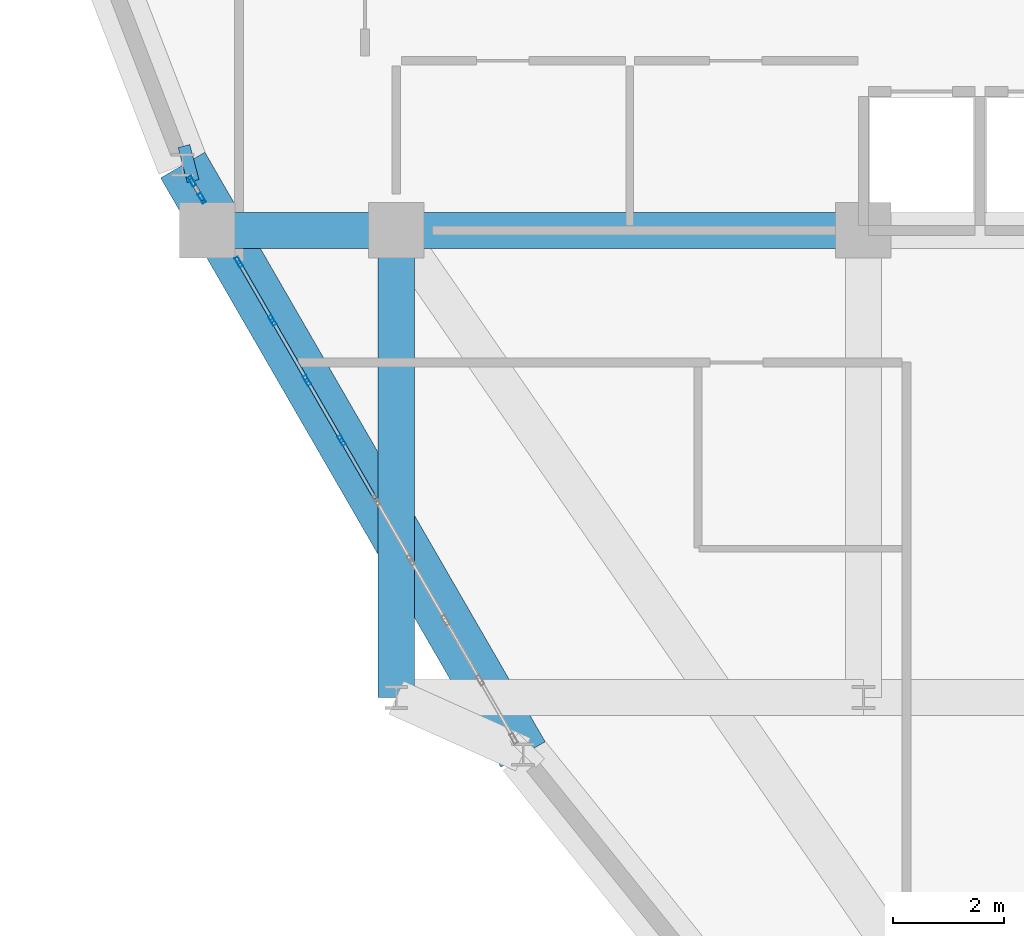
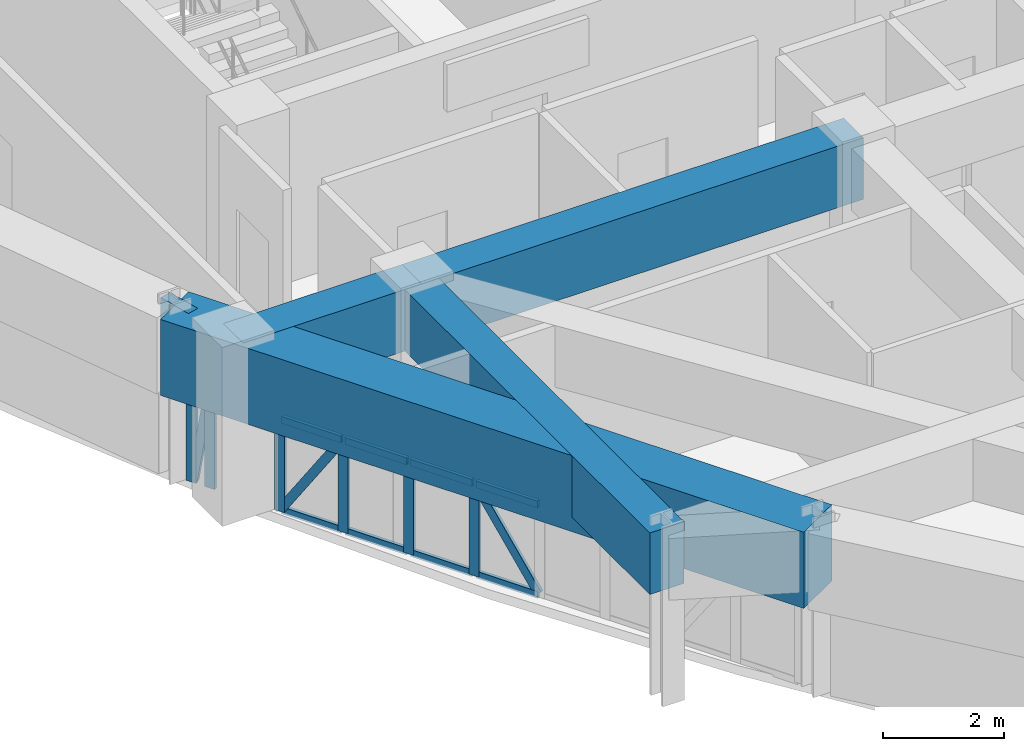
# One storey, part 7 of 19: 17 members, 5 beams, 2 elements without a shape of their own.
"""IFC4 building model written with IfcOpenShell, lengths in metres."""

from ifc_helpers import new_model, si_unit, derived_unit, direction, frame, origin, origin_2d, place, context, subcontext, project, spatial, rectangle, hollow_rectangle, extrude, source, transform, mapped, material, layer, layer_set, material_profile, profile_set, type_object, element, aggregate, save


model = new_model("IFC4")

# Units and contexts
model_context = context("Model", 3, precision=1e-05, world=origin(), true_north=direction((0.0, 1.0)))
body_context = subcontext(model_context, "Body", "Model", "MODEL_VIEW")
ifc_project = project(units=[si_unit("LENGTHUNIT", "METRE"), si_unit("AREAUNIT", "SQUARE_METRE"), si_unit("VOLUMEUNIT", "CUBIC_METRE"), si_unit("PLANEANGLEUNIT", "RADIAN"), si_unit("MASSUNIT", "GRAM", prefix="KILO"), derived_unit("THERMALTRANSMITTANCEUNIT", [(si_unit("POWERUNIT", "WATT"), 1), (si_unit("LENGTHUNIT", "METRE"), -2), (si_unit("THERMODYNAMICTEMPERATUREUNIT", "KELVIN"), -1)])], contexts=[model_context])

# Site, building, storey
site_placement = place(None, origin())
site = spatial("IfcSite", under=ifc_project, at=site_placement, CompositionType="ELEMENT")
building_placement = place(site_placement, origin())
building = spatial("IfcBuilding", under=site, at=building_placement, Name="Korsvarv Bourse and Concert Hall", CompositionType="ELEMENT")
storey_placement = place(building_placement, frame((0.0, 0.0, 223.800048828125)))
storey = spatial("IfcBuildingStorey", under=building, at=storey_placement, Name="L58", CompositionType="ELEMENT", Elevation=223.800048828125)

# Beams
ifc_material_1 = material(Name="Concrete C50/60", Category="concrete")
ifc_material_profile_1 = material_profile(ifc_material_1, rectangle(XDim=0.64990234375, YDim=1.239990234375, at=origin_2d()), Name="RC-BM 650x1240")
ifc_profile_set_1 = profile_set([ifc_material_profile_1], Name="Concrete C50/60")
beam_type_1 = type_object("IfcBeamType", Name="BM-TR-SPN", PredefinedType="BEAM", material=ifc_profile_set_1)
shared_shape_1 = source(origin(), body_context, "Body", "SweptSolid", [
    extrude(rectangle(XDim=0.64990234375, YDim=1.239990234375, at=origin_2d()), origin(), (0.0, 0.0, 1.0), 3.400146484375),
])
beam_1_placement = place(storey_placement, frame((24.199951171875, 32.39990234375, 2.7900390625), z_axis=(1.0, 0.0, 0.0), x_axis=(0.0, 1.0, 0.0)))
element("IfcBeam", 1, at=beam_1_placement, inside=storey, type_object=beam_type_1, Name="L58 beam B-TRS", PredefinedType="BEAM", context=body_context, shape_type="MappedRepresentation", body=[
    mapped(shared_shape_1, transform((0.0, 0.0, 0.0), scale=1.0)),
])
shared_shape_2 = source(origin(), body_context, "Body", "SweptSolid", [
    extrude(rectangle(XDim=0.64990234375, YDim=1.239990234375, at=origin_2d()), origin(), (0.0, 0.0, 1.0), 8.39990234375),
])
for number, where, z_axis, x_axis, name in (
    (2, (27.60009765625, 32.39990234375, 2.7900390625), (1.0, 0.0, 0.0), (0.0, 1.0, 0.0), "L58 beam B-TRS"),
    (3, (27.60009765625, 24.0, 2.7900390625), (0.0, 1.0, 0.0), (-1.0, 0.0, 0.0), "L58 beam B-TRS"),
):
    element("IfcBeam", number, at=place(storey_placement, frame(where, z_axis=z_axis, x_axis=x_axis)), inside=storey, type_object=beam_type_1, Name=name, PredefinedType="BEAM", context=body_context, shape_type="MappedRepresentation", body=[
        mapped(shared_shape_2, transform((0.0, 0.0, 0.0), scale=1.0)),
    ])
ifc_material_profile_2 = material_profile(ifc_material_1, rectangle(XDim=0.919921875, YDim=1.530029296875, at=origin_2d()), Name="RC-BM 920x1530")
ifc_profile_set_2 = profile_set([ifc_material_profile_2], Name="Concrete C50/60")
beam_type_2 = type_object("IfcBeamType", Name="BM-TR-154", PredefinedType="BEAM", material=ifc_profile_set_2)
shared_shape_3 = source(origin(), body_context, "Body", "SweptSolid", [
    extrude(rectangle(XDim=0.919921875, YDim=1.530029296875, at=origin_2d()), origin(), (0.0, 0.0, 1.0), 12.238037109375),
])
beam_2_placement = place(storey_placement, frame((23.760498046875, 33.57421875, 2.64501953125), z_axis=(0.499994725302, -0.866028449111, 0.0), x_axis=(0.866028449111, 0.499994725302, 0.0)))
element("IfcBeam", 4, at=beam_2_placement, inside=storey, type_object=beam_type_2, Name="L58 beam B-TR6", PredefinedType="BEAM", context=body_context, shape_type="MappedRepresentation", body=[
    mapped(shared_shape_3, transform((0.0, 0.0, 0.0), scale=1.0)),
])
shared_shape_4 = source(origin(), body_context, "Body", "SweptSolid", [
    extrude(rectangle(XDim=0.64990234375, YDim=1.239990234375, at=origin_2d()), origin(), (0.0, 0.0, 1.0), 0.216552734375),
])
beam_3_placement = place(storey_placement, frame((23.760498046875, 33.57421875, 2.7900390625), z_axis=(0.967293229816, 0.253660812015, 0.0), x_axis=(-0.253660812015, 0.967293229816, 0.0)))
element("IfcBeam", 5, at=beam_3_placement, inside=storey, type_object=beam_type_1, Name="L58 beam B-TRS", PredefinedType="BEAM", context=body_context, shape_type="MappedRepresentation", body=[
    mapped(shared_shape_4, transform((0.0, 0.0, 0.0), scale=1.0)),
])

# Curtain wall, members
ifc_material_2 = material(Name="Anodised aluminium and triple low-E glazing", Category="glass")
ifc_layer = layer(ifc_material_2, 0.199951171875)
ifc_layer_set = layer_set([ifc_layer], Name="Anodised aluminium and triple low-E glazing")
curtain_wall_type = type_object("IfcCurtainWallType", Name="CW-SYS-3", PredefinedType="NOTDEFINED", material=ifc_layer_set)
curtain_wall_1_placement = place(storey_placement, origin())
curtain_wall_1 = element("IfcCurtainWall", 6, at=curtain_wall_1_placement, inside=storey, type_object=curtain_wall_type, Name="L58 CW3 curtain wall CW-L58-F07-1", PredefinedType="NOTDEFINED")
ifc_material_3 = material(Name="Extruded aluminium EN AW-6063 T66", Category="aluminium")
ifc_material_profile_3 = material_profile(ifc_material_3, hollow_rectangle(XDim=0.070068359375, YDim=0.18994140625, WallThickness=0.0048828125, at=origin_2d()), Name="ALU-M 70x190")
ifc_profile_set_3 = profile_set([ifc_material_profile_3], Name="Extruded aluminium EN AW-6063 T66")
member_type_1 = type_object("IfcMemberType", Name="CWM-190", PredefinedType="MULLION", material=ifc_profile_set_3)
shared_shape_5 = source(origin(), body_context, "Body", "SweptSolid", [
    extrude(hollow_rectangle(XDim=0.070068359375, YDim=0.18994140625, WallThickness=0.0048828125, at=origin_2d()), origin(), (0.0, 0.0, 1.0), 1.8798828125),
])
member_1_placement = place(storey_placement, frame((23.927001953125, 33.285888671875, 0.0), z_axis=(0.0, 0.0, 1.0), x_axis=(0.866051688791, 0.49995447027, 0.0)))
member_1 = element("IfcMember", 7, at=member_1_placement, type_object=member_type_1, Name="CW3 mullion 1", PredefinedType="MULLION", context=body_context, shape_type="MappedRepresentation", body=[
    mapped(shared_shape_5, transform((0.0, 0.0, 0.0), scale=1.0)),
])
member_2_placement = place(storey_placement, frame((24.103515625, 32.980224609375, 0.0), z_axis=(0.0, 0.0, 1.0), x_axis=(0.866051688791, 0.49995447027, 0.0)))
member_2 = element("IfcMember", 8, at=member_2_placement, type_object=member_type_1, Name="CW3 mullion 2", PredefinedType="MULLION", context=body_context, shape_type="MappedRepresentation", body=[
    mapped(shared_shape_5, transform((0.0, 0.0, 0.0), scale=1.0)),
])

curtain_wall_2_placement = place(storey_placement, origin())
curtain_wall_2 = element("IfcCurtainWall", 9, at=curtain_wall_2_placement, inside=storey, type_object=curtain_wall_type, Name="L58 CW3 curtain wall CW-L58-F07-2", PredefinedType="NOTDEFINED")
member_3_placement = place(storey_placement, frame((24.767578125, 31.830078125, 0.0), z_axis=(0.0, 0.0, 1.0), x_axis=(0.866027766968, 0.499995906824, 0.0)))
member_3 = element("IfcMember", 10, at=member_3_placement, type_object=member_type_1, Name="CW3 mullion 1", PredefinedType="MULLION", context=body_context, shape_type="MappedRepresentation", body=[
    mapped(shared_shape_5, transform((0.0, 0.0, 0.0), scale=1.0)),
])
member_4_placement = place(storey_placement, frame((25.37255859375, 30.781982421875, 0.0), z_axis=(0.0, 0.0, 1.0), x_axis=(0.866027766968, 0.499995906824, 0.0)))
member_4 = element("IfcMember", 11, at=member_4_placement, type_object=member_type_1, Name="CW3 mullion 2", PredefinedType="MULLION", context=body_context, shape_type="MappedRepresentation", body=[
    mapped(shared_shape_5, transform((0.0, 0.0, 0.0), scale=1.0)),
])
member_5_placement = place(storey_placement, frame((25.9951171875, 29.70361328125, 0.0), z_axis=(0.0, 0.0, 1.0), x_axis=(0.866027766968, 0.499995906824, 0.0)))
member_5 = element("IfcMember", 12, at=member_5_placement, type_object=member_type_1, Name="CW3 mullion 3", PredefinedType="MULLION", context=body_context, shape_type="MappedRepresentation", body=[
    mapped(shared_shape_5, transform((0.0, 0.0, 0.0), scale=1.0)),
])
member_6_placement = place(storey_placement, frame((26.61767578125, 28.62548828125, 0.0), z_axis=(0.0, 0.0, 1.0), x_axis=(0.866027766968, 0.499995906824, 0.0)))
member_6 = element("IfcMember", 13, at=member_6_placement, type_object=member_type_1, Name="CW3 mullion 4", PredefinedType="MULLION", context=body_context, shape_type="MappedRepresentation", body=[
    mapped(shared_shape_5, transform((0.0, 0.0, 0.0), scale=1.0)),
])

# Member
ifc_material_profile_4 = material_profile(ifc_material_3, hollow_rectangle(XDim=0.06494140625, YDim=0.1650390625, WallThickness=0.0048828125, at=origin_2d()), Name="ALU-M 65x165")
ifc_profile_set_4 = profile_set([ifc_material_profile_4], Name="Extruded aluminium EN AW-6063 T66")
member_type_2 = type_object("IfcMemberType", Name="CWM-165", PredefinedType="MULLION", material=ifc_profile_set_4)
shared_shape_6 = source(origin(), body_context, "Body", "SweptSolid", [
    extrude(hollow_rectangle(XDim=0.06494140625, YDim=0.1650390625, WallThickness=0.0048828125, at=origin_2d()), origin(), (0.0, 0.0, 1.0), 1.772705078125),
])
member_7_placement = place(storey_placement, frame((23.944580078125, 33.255615234375, 0.06494140625), z_axis=(0.079741571787, -0.138136090677, 0.987197904263), x_axis=(0.866056180903, 0.499946688677, 0.0)))
member_7 = element("IfcMember", 14, at=member_7_placement, type_object=member_type_2, Name="CW3 diagonal mullion 1", PredefinedType="MULLION", context=body_context, shape_type="MappedRepresentation", body=[
    mapped(shared_shape_6, transform((0.0, 0.0, 0.0), scale=1.0)),
])

aggregate(curtain_wall_1, [member_1, member_2, member_7])

ifc_material_profile_5 = material_profile(ifc_material_3, hollow_rectangle(XDim=0.06494140625, YDim=0.139892578125, WallThickness=0.00390625, at=origin_2d()), Name="ALU-T 65x140")
ifc_profile_set_5 = profile_set([ifc_material_profile_5], Name="Extruded aluminium EN AW-6063 T66")
member_type_3 = type_object("IfcMemberType", Name="CWT-140", PredefinedType="USERDEFINED", material=ifc_profile_set_5)
shared_shape_7 = source(origin(), body_context, "Body", "SweptSolid", [
    extrude(hollow_rectangle(XDim=0.06494140625, YDim=0.139892578125, WallThickness=0.00390625, at=origin_2d()), origin(), (0.0, 0.0, 1.0), 1.14013671875),
])
member_8_placement = place(storey_placement, frame((24.784912109375, 31.799560546875, 0.032470703125), z_axis=(0.50003140069, -0.866007273829, 0.0), x_axis=(0.866007273829, 0.50003140069, 0.0)))
member_8 = element("IfcMember", 15, at=member_8_placement, type_object=member_type_3, Name="CW3 transom 1.1", ObjectType="TRANSOM", PredefinedType="USERDEFINED", context=body_context, shape_type="MappedRepresentation", body=[
    mapped(shared_shape_7, transform((0.0, 0.0, 0.0), scale=1.0)),
])

member_9_placement = place(storey_placement, frame((24.784912109375, 31.799560546875, 1.847412109375), z_axis=(0.50003140069, -0.866007273829, 0.0), x_axis=(0.866007273829, 0.50003140069, 0.0)))
member_9 = element("IfcMember", 16, at=member_9_placement, type_object=member_type_3, Name="CW3 transom 1.2", ObjectType="TRANSOM", PredefinedType="USERDEFINED", context=body_context, shape_type="MappedRepresentation", body=[
    mapped(shared_shape_7, transform((0.0, 0.0, 0.0), scale=1.0)),
])

shared_shape_8 = source(origin(), body_context, "Body", "SweptSolid", [
    extrude(hollow_rectangle(XDim=0.06494140625, YDim=0.1650390625, WallThickness=0.0048828125, at=origin_2d()), origin(), (0.0, 0.0, 1.0), 2.088623046875),
])
member_10_placement = place(storey_placement, frame((24.784912109375, 31.799560546875, 0.06494140625), z_axis=(0.27294285936, -0.472711316168, 0.837881976827), x_axis=(0.866007273829, 0.50003140069, 0.0)))
member_10 = element("IfcMember", 17, at=member_10_placement, type_object=member_type_2, Name="CW3 diagonal mullion 1", PredefinedType="MULLION", context=body_context, shape_type="MappedRepresentation", body=[
    mapped(shared_shape_8, transform((0.0, 0.0, 0.0), scale=1.0)),
])

shared_shape_9 = source(origin(), body_context, "Body", "SweptSolid", [
    extrude(hollow_rectangle(XDim=0.06494140625, YDim=0.139892578125, WallThickness=0.00390625, at=origin_2d()), origin(), (0.0, 0.0, 1.0), 1.175048828125),
])
member_11_placement = place(storey_placement, frame((25.39013671875, 30.751708984375, 0.032470703125), z_axis=(0.499938297808, -0.866061024631, 0.0), x_axis=(0.866061024631, 0.499938297808, 0.0)))
member_11 = element("IfcMember", 18, at=member_11_placement, type_object=member_type_3, Name="CW3 transom 2.1", ObjectType="TRANSOM", PredefinedType="USERDEFINED", context=body_context, shape_type="MappedRepresentation", body=[
    mapped(shared_shape_9, transform((0.0, 0.0, 0.0), scale=1.0)),
])

member_12_placement = place(storey_placement, frame((25.39013671875, 30.751708984375, 1.847412109375), z_axis=(0.499938297808, -0.866061024631, 0.0), x_axis=(0.866061024631, 0.499938297808, 0.0)))
member_12 = element("IfcMember", 19, at=member_12_placement, type_object=member_type_3, Name="CW3 transom 2.2", ObjectType="TRANSOM", PredefinedType="USERDEFINED", context=body_context, shape_type="MappedRepresentation", body=[
    mapped(shared_shape_9, transform((0.0, 0.0, 0.0), scale=1.0)),
])

member_13_placement = place(storey_placement, frame((26.0126953125, 29.67333984375, 0.032470703125), z_axis=(0.499938297808, -0.866061024631, 0.0), x_axis=(0.866061024631, 0.499938297808, 0.0)))
member_13 = element("IfcMember", 20, at=member_13_placement, type_object=member_type_3, Name="CW3 transom 3.1", ObjectType="TRANSOM", PredefinedType="USERDEFINED", context=body_context, shape_type="MappedRepresentation", body=[
    mapped(shared_shape_9, transform((0.0, 0.0, 0.0), scale=1.0)),
])

member_14_placement = place(storey_placement, frame((26.0126953125, 29.67333984375, 1.847412109375), z_axis=(0.499938297808, -0.866061024631, 0.0), x_axis=(0.866061024631, 0.499938297808, 0.0)))
member_14 = element("IfcMember", 21, at=member_14_placement, type_object=member_type_3, Name="CW3 transom 3.2", ObjectType="TRANSOM", PredefinedType="USERDEFINED", context=body_context, shape_type="MappedRepresentation", body=[
    mapped(shared_shape_9, transform((0.0, 0.0, 0.0), scale=1.0)),
])

member_15_placement = place(storey_placement, frame((26.63525390625, 28.594970703125, 0.032470703125), z_axis=(0.499938297808, -0.866061024631, 0.0), x_axis=(0.866061024631, 0.499938297808, 0.0)))
member_15 = element("IfcMember", 22, at=member_15_placement, type_object=member_type_3, Name="CW3 transom 4.1", ObjectType="TRANSOM", PredefinedType="USERDEFINED", context=body_context, shape_type="MappedRepresentation", body=[
    mapped(shared_shape_9, transform((0.0, 0.0, 0.0), scale=1.0)),
])

member_16_placement = place(storey_placement, frame((26.63525390625, 28.594970703125, 1.847412109375), z_axis=(0.499938297808, -0.866061024631, 0.0), x_axis=(0.866061024631, 0.499938297808, 0.0)))
member_16 = element("IfcMember", 23, at=member_16_placement, type_object=member_type_3, Name="CW3 transom 4.2", ObjectType="TRANSOM", PredefinedType="USERDEFINED", context=body_context, shape_type="MappedRepresentation", body=[
    mapped(shared_shape_9, transform((0.0, 0.0, 0.0), scale=1.0)),
])

shared_shape_10 = source(origin(), body_context, "Body", "SweptSolid", [
    extrude(hollow_rectangle(XDim=0.06494140625, YDim=0.1650390625, WallThickness=0.0048828125, at=origin_2d()), origin(), (0.0, 0.0, 1.0), 2.10791015625),
])
member_17_placement = place(storey_placement, frame((27.22265625, 27.577392578125, 0.06494140625), z_axis=(-0.278674472882, 0.482757773471, 0.830232178561), x_axis=(-0.866061024631, -0.499938297808, 0.0)))
member_17 = element("IfcMember", 24, at=member_17_placement, type_object=member_type_2, Name="CW3 diagonal mullion 4", PredefinedType="MULLION", context=body_context, shape_type="MappedRepresentation", body=[
    mapped(shared_shape_10, transform((0.0, 0.0, 0.0), scale=1.0)),
])

aggregate(curtain_wall_2, [member_3, member_4, member_5, member_6, member_8, member_9, member_10, member_11, member_12, member_13, member_14, member_15, member_16, member_17])

save(model, "model.ifc")
